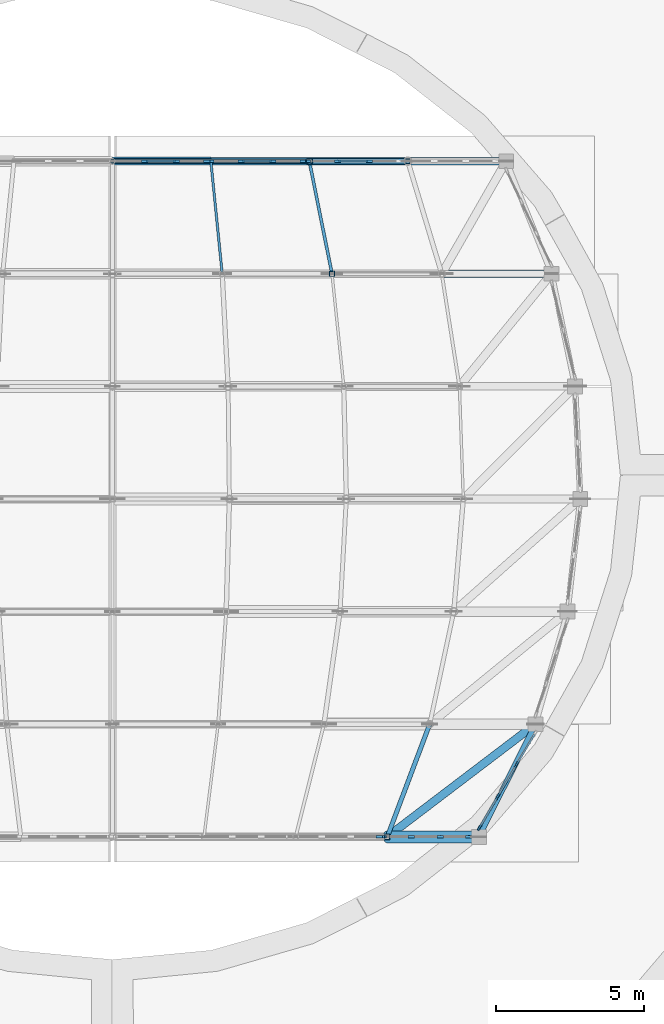
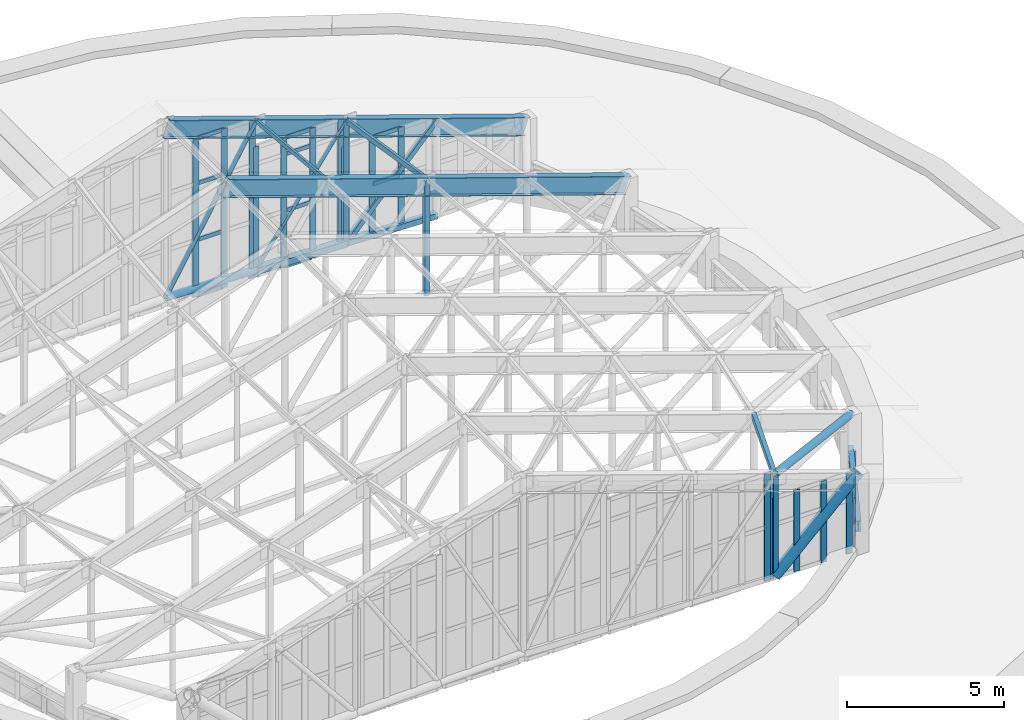
# One storey, part 17 of 105: 49 members, 3 beams, 6 elements without a shape of their own.
"""IFC4 building model written with IfcOpenShell, lengths in metres."""

from ifc_helpers import new_model, si_unit, direction, frame, origin, origin_2d, place, context, subcontext, project, spatial, rectangle, hollow_rectangle, hollow_circle, i_section, extrude, material, material_profile, profile_set, type_object, element, aggregate, save


model = new_model("IFC4")

# Units and contexts
model_context = context("Model", 3, precision=1e-05, world=origin(), true_north=direction((0.0, 1.0)))
body_context = subcontext(model_context, "Body", "Model", "MODEL_VIEW")
ifc_project = project(units=[si_unit("LENGTHUNIT", "METRE"), si_unit("AREAUNIT", "SQUARE_METRE"), si_unit("VOLUMEUNIT", "CUBIC_METRE"), si_unit("PLANEANGLEUNIT", "RADIAN"), si_unit("MASSUNIT", "GRAM", prefix="KILO")], contexts=[model_context])

# Site, building, storey
site_placement = place(None, origin())
site = spatial("IfcSite", under=ifc_project, at=site_placement, CompositionType="ELEMENT")
building_placement = place(site_placement, origin())
building = spatial("IfcBuilding", under=site, at=building_placement, Name="Corveleigh Park Community Centre", CompositionType="ELEMENT")
storey_placement = place(building_placement, frame((0.0, 0.0, 8.699951171875)))
storey = spatial("IfcBuildingStorey", under=building, at=storey_placement, Name="L02", CompositionType="ELEMENT", Elevation=8.699951171875)

# Beams
ifc_material_1 = material(Name="Steel S355", Category="steel")
ifc_material_profile_1 = material_profile(ifc_material_1, i_section(OverallWidth=0.1787109375, OverallDepth=0.409423828125, WebThickness=0.0087890625, FlangeThickness=0.014404296875, at=origin_2d()), Name="UKB 406x178x67", Category="steel")
ifc_profile_set_1 = profile_set([ifc_material_profile_1], Name="Steel S355")
beam_type_1 = type_object("IfcBeamType", Name="BM-STL-UKB406x67", PredefinedType="BEAM", material=ifc_profile_set_1)
beam_1_placement = place(storey_placement, frame((43.3681640625, 15.404541015625, 0.915283203125), z_axis=(0.448916145361, 0.893573888626, 0.0), x_axis=(-0.893573888626, 0.448916145361, 0.0)))
element("IfcBeam", 1, at=beam_1_placement, inside=storey, type_object=beam_type_1, Name="V1 East Eave Tie Beam", PredefinedType="BEAM", context=body_context, shape_type="SweptSolid", body=[
    extrude(i_section(OverallWidth=0.1787109375, OverallDepth=0.409423828125, WebThickness=0.0087890625, FlangeThickness=0.014404296875, at=origin_2d()), origin(), (0.0, 0.0, 1.0), 4.242431640625),
])
ifc_material_profile_2 = material_profile(ifc_material_1, i_section(OverallWidth=0.253662109375, OverallDepth=0.68359375, WebThickness=0.012451171875, FlangeThickness=0.01904296875, at=origin_2d()), Name="UKB 686x254x140", Category="steel")
ifc_profile_set_2 = profile_set([ifc_material_profile_2], Name="Steel S355")
beam_type_2 = type_object("IfcBeamType", Name="BM-STL-UKB686x140", PredefinedType="BEAM", material=ifc_profile_set_2)
beam_2_placement = place(storey_placement, frame((31.0, 34.39990234375, 6.951416015625), z_axis=(0.946294957787, 0.0, -0.323304582194), x_axis=(0.0, 1.0, 0.0)))
element("IfcBeam", 2, at=beam_2_placement, inside=storey, type_object=beam_type_2, Name="V1 Portal Rafter E6", PredefinedType="BEAM", context=body_context, shape_type="SweptSolid", body=[
    extrude(i_section(OverallWidth=0.253662109375, OverallDepth=0.68359375, WebThickness=0.012451171875, FlangeThickness=0.01904296875, at=origin_2d()), origin(), (0.0, 0.0, 1.0), 15.66015625),
])
beam_3_placement = place(storey_placement, frame((31.0, 38.199951171875, 6.951416015625), z_axis=(0.946285526894, 0.0, -0.323332184588), x_axis=(0.0, 1.0, 0.0)))
element("IfcBeam", 3, at=beam_3_placement, inside=storey, type_object=beam_type_2, Name="V1 Portal Rafter E7", PredefinedType="BEAM", context=body_context, shape_type="SweptSolid", body=[
    extrude(i_section(OverallWidth=0.253662109375, OverallDepth=0.68359375, WebThickness=0.012451171875, FlangeThickness=0.01904296875, at=origin_2d()), origin(), (0.0, 0.0, 1.0), 14.04443359375),
])

# Curtain wall, members
ifc_material_2 = material(Name="Anodised aluminium 6063-T6", Category="aluminium")
curtain_wall_type_1 = type_object("IfcCurtainWallType", Name="CW-SYS-V1-L00", PredefinedType="NOTDEFINED", material=ifc_material_2)
curtain_wall_1_placement = place(storey_placement, origin())
curtain_wall_1 = element("IfcCurtainWall", 4, at=curtain_wall_1_placement, inside=storey, type_object=curtain_wall_type_1, Name="Main Hall East Eave Clerestory 1", PredefinedType="NOTDEFINED")
ifc_material_profile_3 = material_profile(ifc_material_2, rectangle(XDim=0.070068359375, YDim=0.199951171875, at=origin_2d()), Name="ALU-M70x200", Category="aluminium")
ifc_profile_set_3 = profile_set([ifc_material_profile_3], Name="Anodised aluminium 6063-T6")
member_type_1 = type_object("IfcMemberType", Name="CWM-70x200", PredefinedType="MULLION", material=ifc_profile_set_3)
member_1_placement = place(storey_placement, frame((44.638671875, 17.840087890625, 0.0), z_axis=(0.0, 0.0, 1.0), x_axis=(0.861571691471, -0.507635913283, 0.0)))
member_1 = element("IfcMember", 5, at=member_1_placement, type_object=member_type_1, Name="CW01 mullion 2", PredefinedType="MULLION", context=body_context, shape_type="SweptSolid", body=[
    extrude(rectangle(XDim=0.070068359375, YDim=0.199951171875, at=origin_2d()), origin(), (0.0, 0.0, 1.0), 1.06005859375),
])
member_2_placement = place(storey_placement, frame((44.00244140625, 16.760009765625, 0.0), z_axis=(0.0, 0.0, 1.0), x_axis=(0.861571691471, -0.507635913283, 0.0)))
member_2 = element("IfcMember", 6, at=member_2_placement, type_object=member_type_1, Name="CW01 mullion 3", PredefinedType="MULLION", context=body_context, shape_type="SweptSolid", body=[
    extrude(rectangle(XDim=0.070068359375, YDim=0.199951171875, at=origin_2d()), origin(), (0.0, 0.0, 1.0), 1.06005859375),
])
member_3_placement = place(storey_placement, frame((43.3837890625, 15.710205078125, 0.0), z_axis=(0.0, 0.0, 1.0), x_axis=(0.861571691471, -0.507635913283, 0.0)))
member_3 = element("IfcMember", 7, at=member_3_placement, type_object=member_type_1, Name="CW01 mullion 4", PredefinedType="MULLION", context=body_context, shape_type="SweptSolid", body=[
    extrude(rectangle(XDim=0.070068359375, YDim=0.199951171875, at=origin_2d()), origin(), (0.0, 0.0, 1.0), 1.06005859375),
])

# Curtain wall, member
curtain_wall_type_2 = type_object("IfcCurtainWallType", Name="CW-SYS-V1-DRUM", PredefinedType="NOTDEFINED", material=ifc_material_2)
curtain_wall_2_placement = place(storey_placement, origin())
curtain_wall_2 = element("IfcCurtainWall", 8, at=curtain_wall_2_placement, inside=storey, type_object=curtain_wall_type_2, Name="Main Hall S Gable Clerestory 7", PredefinedType="NOTDEFINED")
ifc_material_profile_4 = material_profile(ifc_material_2, rectangle(XDim=0.074951171875, YDim=0.219970703125, at=origin_2d()), Name="ALU-M75x220", Category="aluminium")
ifc_profile_set_4 = profile_set([ifc_material_profile_4], Name="Anodised aluminium 6063-T6")
member_type_2 = type_object("IfcMemberType", Name="CWM-75x220", PredefinedType="MULLION", material=ifc_profile_set_4)
member_4_placement = place(storey_placement, frame((39.99658203125, 15.39990234375, 0.0), z_axis=(0.0, 0.0, 1.0), x_axis=(0.0, 1.0, 0.0)))
member_4 = element("IfcMember", 9, at=member_4_placement, type_object=member_type_2, Name="CW02 mullion 4", PredefinedType="MULLION", context=body_context, shape_type="SweptSolid", body=[
    extrude(rectangle(XDim=0.074951171875, YDim=0.219970703125, at=origin_2d()), origin(), (0.0, 0.0, 1.0), 4.203125),
])
aggregate(curtain_wall_2, [member_4])

# Curtain wall, members
curtain_wall_3_placement = place(storey_placement, origin())
curtain_wall_3 = element("IfcCurtainWall", 10, at=curtain_wall_3_placement, inside=storey, type_object=curtain_wall_type_2, Name="Main Hall S Gable Clerestory 8", PredefinedType="NOTDEFINED")
member_5_placement = place(storey_placement, frame((40.131591796875, 15.39990234375, 0.0), z_axis=(0.0, 0.0, 1.0), x_axis=(0.0, 1.0, 0.0)))
member_5 = element("IfcMember", 11, at=member_5_placement, type_object=member_type_2, Name="CW02 mullion 1", PredefinedType="MULLION", context=body_context, shape_type="SweptSolid", body=[
    extrude(rectangle(XDim=0.074951171875, YDim=0.219970703125, at=origin_2d()), origin(), (0.0, 0.0, 1.0), 3.171142578125),
])
member_6_placement = place(storey_placement, frame((41.081298828125, 15.39990234375, 0.0), z_axis=(0.0, 0.0, 1.0), x_axis=(0.0, 1.0, 0.0)))
member_6 = element("IfcMember", 12, at=member_6_placement, type_object=member_type_2, Name="CW02 mullion 2", PredefinedType="MULLION", context=body_context, shape_type="SweptSolid", body=[
    extrude(rectangle(XDim=0.074951171875, YDim=0.219970703125, at=origin_2d()), origin(), (0.0, 0.0, 1.0), 3.171142578125),
])
member_7_placement = place(storey_placement, frame((42.068603515625, 15.39990234375, 0.0), z_axis=(0.0, 0.0, 1.0), x_axis=(0.0, 1.0, 0.0)))
member_7 = element("IfcMember", 13, at=member_7_placement, type_object=member_type_2, Name="CW02 mullion 3", PredefinedType="MULLION", context=body_context, shape_type="SweptSolid", body=[
    extrude(rectangle(XDim=0.074951171875, YDim=0.219970703125, at=origin_2d()), origin(), (0.0, 0.0, 1.0), 3.171142578125),
])
member_8_placement = place(storey_placement, frame((43.0185546875, 15.39990234375, 0.0), z_axis=(0.0, 0.0, 1.0), x_axis=(0.0, 1.0, 0.0)))
member_8 = element("IfcMember", 14, at=member_8_placement, type_object=member_type_2, Name="CW02 mullion 4", PredefinedType="MULLION", context=body_context, shape_type="SweptSolid", body=[
    extrude(rectangle(XDim=0.074951171875, YDim=0.219970703125, at=origin_2d()), origin(), (0.0, 0.0, 1.0), 3.171142578125),
])
aggregate(curtain_wall_3, [member_5, member_6, member_7, member_8])

curtain_wall_4_placement = place(storey_placement, origin())
curtain_wall_4 = element("IfcCurtainWall", 15, at=curtain_wall_4_placement, inside=storey, type_object=curtain_wall_type_2, Name="Main Hall N Gable Clerestory 5", PredefinedType="NOTDEFINED")
member_9_placement = place(storey_placement, frame((34.1845703125, 38.199951171875, 0.0), z_axis=(0.0, 0.0, 1.0), x_axis=(0.0, -1.0, 0.0)))
member_9 = element("IfcMember", 16, at=member_9_placement, type_object=member_type_2, Name="CW02 mullion 1", PredefinedType="MULLION", context=body_context, shape_type="SweptSolid", body=[
    extrude(rectangle(XDim=0.074951171875, YDim=0.219970703125, at=origin_2d()), origin(), (0.0, 0.0, 1.0), 6.18896484375),
])
member_10_placement = place(storey_placement, frame((33.157958984375, 38.199951171875, 0.0), z_axis=(0.0, 0.0, 1.0), x_axis=(0.0, -1.0, 0.0)))
member_10 = element("IfcMember", 17, at=member_10_placement, type_object=member_type_2, Name="CW02 mullion 2", PredefinedType="MULLION", context=body_context, shape_type="SweptSolid", body=[
    extrude(rectangle(XDim=0.074951171875, YDim=0.219970703125, at=origin_2d()), origin(), (0.0, 0.0, 1.0), 6.18896484375),
])
member_11_placement = place(storey_placement, frame((32.093994140625, 38.199951171875, 0.0), z_axis=(0.0, 0.0, 1.0), x_axis=(0.0, -1.0, 0.0)))
member_11 = element("IfcMember", 18, at=member_11_placement, type_object=member_type_2, Name="CW02 mullion 3", PredefinedType="MULLION", context=body_context, shape_type="SweptSolid", body=[
    extrude(rectangle(XDim=0.074951171875, YDim=0.219970703125, at=origin_2d()), origin(), (0.0, 0.0, 1.0), 6.18896484375),
])

curtain_wall_5_placement = place(storey_placement, origin())
curtain_wall_5 = element("IfcCurtainWall", 19, at=curtain_wall_5_placement, inside=storey, type_object=curtain_wall_type_2, Name="Main Hall N Gable Clerestory 6", PredefinedType="NOTDEFINED")
member_12_placement = place(storey_placement, frame((37.4375, 38.199951171875, 0.0), z_axis=(0.0, 0.0, 1.0), x_axis=(0.0, -1.0, 0.0)))
member_12 = element("IfcMember", 20, at=member_12_placement, type_object=member_type_2, Name="CW02 mullion 1", PredefinedType="MULLION", context=body_context, shape_type="SweptSolid", body=[
    extrude(rectangle(XDim=0.074951171875, YDim=0.219970703125, at=origin_2d()), origin(), (0.0, 0.0, 1.0), 5.078125),
])
member_13_placement = place(storey_placement, frame((36.41064453125, 38.199951171875, 0.0), z_axis=(0.0, 0.0, 1.0), x_axis=(0.0, -1.0, 0.0)))
member_13 = element("IfcMember", 21, at=member_13_placement, type_object=member_type_2, Name="CW02 mullion 2", PredefinedType="MULLION", context=body_context, shape_type="SweptSolid", body=[
    extrude(rectangle(XDim=0.074951171875, YDim=0.219970703125, at=origin_2d()), origin(), (0.0, 0.0, 1.0), 5.078125),
])
member_14_placement = place(storey_placement, frame((35.346435546875, 38.199951171875, 0.0), z_axis=(0.0, 0.0, 1.0), x_axis=(0.0, -1.0, 0.0)))
member_14 = element("IfcMember", 22, at=member_14_placement, type_object=member_type_2, Name="CW02 mullion 3", PredefinedType="MULLION", context=body_context, shape_type="SweptSolid", body=[
    extrude(rectangle(XDim=0.074951171875, YDim=0.219970703125, at=origin_2d()), origin(), (0.0, 0.0, 1.0), 5.078125),
])
member_15_placement = place(storey_placement, frame((34.319580078125, 38.199951171875, 0.0), z_axis=(0.0, 0.0, 1.0), x_axis=(0.0, -1.0, 0.0)))
member_15 = element("IfcMember", 23, at=member_15_placement, type_object=member_type_2, Name="CW02 mullion 4", PredefinedType="MULLION", context=body_context, shape_type="SweptSolid", body=[
    extrude(rectangle(XDim=0.074951171875, YDim=0.219970703125, at=origin_2d()), origin(), (0.0, 0.0, 1.0), 5.078125),
])

curtain_wall_6_placement = place(storey_placement, origin())
curtain_wall_6 = element("IfcCurtainWall", 24, at=curtain_wall_6_placement, inside=storey, type_object=curtain_wall_type_2, Name="Main Hall N Gable Clerestory 7", PredefinedType="NOTDEFINED")
member_16_placement = place(storey_placement, frame((39.6630859375, 38.199951171875, 0.0), z_axis=(0.0, 0.0, 1.0), x_axis=(0.0, -1.0, 0.0)))
member_16 = element("IfcMember", 25, at=member_16_placement, type_object=member_type_2, Name="CW02 mullion 2", PredefinedType="MULLION", context=body_context, shape_type="SweptSolid", body=[
    extrude(rectangle(XDim=0.074951171875, YDim=0.219970703125, at=origin_2d()), origin(), (0.0, 0.0, 1.0), 3.967041015625),
])
member_17_placement = place(storey_placement, frame((38.59912109375, 38.199951171875, 0.0), z_axis=(0.0, 0.0, 1.0), x_axis=(0.0, -1.0, 0.0)))
member_17 = element("IfcMember", 26, at=member_17_placement, type_object=member_type_2, Name="CW02 mullion 3", PredefinedType="MULLION", context=body_context, shape_type="SweptSolid", body=[
    extrude(rectangle(XDim=0.074951171875, YDim=0.219970703125, at=origin_2d()), origin(), (0.0, 0.0, 1.0), 3.967041015625),
])
member_18_placement = place(storey_placement, frame((37.572509765625, 38.199951171875, 0.0), z_axis=(0.0, 0.0, 1.0), x_axis=(0.0, -1.0, 0.0)))
member_18 = element("IfcMember", 27, at=member_18_placement, type_object=member_type_2, Name="CW02 mullion 4", PredefinedType="MULLION", context=body_context, shape_type="SweptSolid", body=[
    extrude(rectangle(XDim=0.074951171875, YDim=0.219970703125, at=origin_2d()), origin(), (0.0, 0.0, 1.0), 3.967041015625),
])

# Member
ifc_material_profile_5 = material_profile(ifc_material_2, rectangle(XDim=0.06494140625, YDim=0.139892578125, at=origin_2d()), Name="ALU-T65x140", Category="aluminium")
ifc_profile_set_5 = profile_set([ifc_material_profile_5], Name="Anodised aluminium 6063-T6")
member_type_3 = type_object("IfcMemberType", Name="CWT-65x140", PredefinedType="USERDEFINED", material=ifc_profile_set_5)
member_19_placement = place(storey_placement, frame((45.239501953125, 18.859619140625, 0.032470703125), z_axis=(-0.50763313722, -0.861573327115, 0.0), x_axis=(0.861573327115, -0.50763313722, 0.0)))
member_19 = element("IfcMember", 28, at=member_19_placement, type_object=member_type_3, Name="CW01 transom 1.1", ObjectType="TRANSOM", PredefinedType="USERDEFINED", context=body_context, shape_type="SweptSolid", body=[
    extrude(rectangle(XDim=0.06494140625, YDim=0.139892578125, at=origin_2d()), origin(), (0.0, 0.0, 1.0), 1.1484375),
])

member_20_placement = place(storey_placement, frame((45.239501953125, 18.859619140625, 1.027587890625), z_axis=(-0.50763313722, -0.861573327115, 0.0), x_axis=(0.861573327115, -0.50763313722, 0.0)))
member_20 = element("IfcMember", 29, at=member_20_placement, type_object=member_type_3, Name="CW01 transom 1.2", ObjectType="TRANSOM", PredefinedType="USERDEFINED", context=body_context, shape_type="SweptSolid", body=[
    extrude(rectangle(XDim=0.06494140625, YDim=0.139892578125, at=origin_2d()), origin(), (0.0, 0.0, 1.0), 1.1484375),
])

member_21_placement = place(storey_placement, frame((44.620849609375, 17.809814453125, 0.032470703125), z_axis=(-0.507623957149, -0.861578735884, 0.0), x_axis=(0.861578735884, -0.507623957149, 0.0)))
member_21 = element("IfcMember", 30, at=member_21_placement, type_object=member_type_3, Name="CW01 transom 2.1", ObjectType="TRANSOM", PredefinedType="USERDEFINED", context=body_context, shape_type="SweptSolid", body=[
    extrude(rectangle(XDim=0.06494140625, YDim=0.139892578125, at=origin_2d()), origin(), (0.0, 0.0, 1.0), 1.18359375),
])

member_22_placement = place(storey_placement, frame((44.620849609375, 17.809814453125, 1.027587890625), z_axis=(-0.507623957149, -0.861578735884, 0.0), x_axis=(0.861578735884, -0.507623957149, 0.0)))
member_22 = element("IfcMember", 31, at=member_22_placement, type_object=member_type_3, Name="CW01 transom 2.2", ObjectType="TRANSOM", PredefinedType="USERDEFINED", context=body_context, shape_type="SweptSolid", body=[
    extrude(rectangle(XDim=0.06494140625, YDim=0.139892578125, at=origin_2d()), origin(), (0.0, 0.0, 1.0), 1.18359375),
])

member_23_placement = place(storey_placement, frame((43.984619140625, 16.729736328125, 0.032470703125), z_axis=(-0.50763313722, -0.861573327115, 0.0), x_axis=(0.861573327115, -0.50763313722, 0.0)))
member_23 = element("IfcMember", 32, at=member_23_placement, type_object=member_type_3, Name="CW01 transom 3.1", ObjectType="TRANSOM", PredefinedType="USERDEFINED", context=body_context, shape_type="SweptSolid", body=[
    extrude(rectangle(XDim=0.06494140625, YDim=0.139892578125, at=origin_2d()), origin(), (0.0, 0.0, 1.0), 1.1484375),
])

member_24_placement = place(storey_placement, frame((43.984619140625, 16.729736328125, 1.027587890625), z_axis=(-0.50763313722, -0.861573327115, 0.0), x_axis=(0.861573327115, -0.50763313722, 0.0)))
member_24 = element("IfcMember", 33, at=member_24_placement, type_object=member_type_3, Name="CW01 transom 3.2", ObjectType="TRANSOM", PredefinedType="USERDEFINED", context=body_context, shape_type="SweptSolid", body=[
    extrude(rectangle(XDim=0.06494140625, YDim=0.139892578125, at=origin_2d()), origin(), (0.0, 0.0, 1.0), 1.1484375),
])

aggregate(curtain_wall_1, [member_1, member_2, member_3, member_19, member_20, member_21, member_22, member_23, member_24])

ifc_material_profile_6 = material_profile(ifc_material_2, rectangle(XDim=0.070068359375, YDim=0.155029296875, at=origin_2d()), Name="ALU-T70x155", Category="aluminium")
ifc_profile_set_6 = profile_set([ifc_material_profile_6], Name="Anodised aluminium 6063-T6")
member_type_4 = type_object("IfcMemberType", Name="CWT-70x155", PredefinedType="USERDEFINED", material=ifc_profile_set_6)
member_25_placement = place(storey_placement, frame((33.12060546875, 38.199951171875, 0.03515625), z_axis=(-1.0, 0.0, 0.0), x_axis=(0.0, -1.0, 0.0)))
member_25 = element("IfcMember", 34, at=member_25_placement, type_object=member_type_4, Name="CW02 transom 2.1", ObjectType="TRANSOM", PredefinedType="USERDEFINED", context=body_context, shape_type="SweptSolid", body=[
    extrude(rectangle(XDim=0.070068359375, YDim=0.155029296875, at=origin_2d()), origin(), (0.0, 0.0, 1.0), 0.989013671875),
])

member_26_placement = place(storey_placement, frame((33.12060546875, 38.199951171875, 2.199951171875), z_axis=(-1.0, 0.0, 0.0), x_axis=(0.0, -1.0, 0.0)))
member_26 = element("IfcMember", 35, at=member_26_placement, type_object=member_type_4, Name="CW02 transom 2.2", ObjectType="TRANSOM", PredefinedType="USERDEFINED", context=body_context, shape_type="SweptSolid", body=[
    extrude(rectangle(XDim=0.070068359375, YDim=0.155029296875, at=origin_2d()), origin(), (0.0, 0.0, 1.0), 0.989013671875),
])

member_27_placement = place(storey_placement, frame((33.12060546875, 38.199951171875, 4.400146484375), z_axis=(-1.0, 0.0, 0.0), x_axis=(0.0, -1.0, 0.0)))
member_27 = element("IfcMember", 36, at=member_27_placement, type_object=member_type_4, Name="CW02 transom 2.3", ObjectType="TRANSOM", PredefinedType="USERDEFINED", context=body_context, shape_type="SweptSolid", body=[
    extrude(rectangle(XDim=0.070068359375, YDim=0.155029296875, at=origin_2d()), origin(), (0.0, 0.0, 1.0), 0.989013671875),
])

member_28_placement = place(storey_placement, frame((33.12060546875, 38.199951171875, 6.154052734375), z_axis=(-1.0, 0.0, 0.0), x_axis=(0.0, -1.0, 0.0)))
member_28 = element("IfcMember", 37, at=member_28_placement, type_object=member_type_4, Name="CW02 transom 2.4", ObjectType="TRANSOM", PredefinedType="USERDEFINED", context=body_context, shape_type="SweptSolid", body=[
    extrude(rectangle(XDim=0.070068359375, YDim=0.155029296875, at=origin_2d()), origin(), (0.0, 0.0, 1.0), 0.989013671875),
])

aggregate(curtain_wall_4, [member_9, member_10, member_11, member_25, member_26, member_27, member_28])

member_29_placement = place(storey_placement, frame((36.373046875, 38.199951171875, 0.03515625), z_axis=(-1.0, 0.0, 0.0), x_axis=(0.0, -1.0, 0.0)))
member_29 = element("IfcMember", 38, at=member_29_placement, type_object=member_type_4, Name="CW02 transom 2.1", ObjectType="TRANSOM", PredefinedType="USERDEFINED", context=body_context, shape_type="SweptSolid", body=[
    extrude(rectangle(XDim=0.070068359375, YDim=0.155029296875, at=origin_2d()), origin(), (0.0, 0.0, 1.0), 0.9892578125),
])

member_30_placement = place(storey_placement, frame((36.373046875, 38.199951171875, 2.199951171875), z_axis=(-1.0, 0.0, 0.0), x_axis=(0.0, -1.0, 0.0)))
member_30 = element("IfcMember", 39, at=member_30_placement, type_object=member_type_4, Name="CW02 transom 2.2", ObjectType="TRANSOM", PredefinedType="USERDEFINED", context=body_context, shape_type="SweptSolid", body=[
    extrude(rectangle(XDim=0.070068359375, YDim=0.155029296875, at=origin_2d()), origin(), (0.0, 0.0, 1.0), 0.9892578125),
])

member_31_placement = place(storey_placement, frame((36.373046875, 38.199951171875, 4.400146484375), z_axis=(-1.0, 0.0, 0.0), x_axis=(0.0, -1.0, 0.0)))
member_31 = element("IfcMember", 40, at=member_31_placement, type_object=member_type_4, Name="CW02 transom 2.3", ObjectType="TRANSOM", PredefinedType="USERDEFINED", context=body_context, shape_type="SweptSolid", body=[
    extrude(rectangle(XDim=0.070068359375, YDim=0.155029296875, at=origin_2d()), origin(), (0.0, 0.0, 1.0), 0.9892578125),
])

member_32_placement = place(storey_placement, frame((36.373046875, 38.199951171875, 5.04296875), z_axis=(-1.0, 0.0, 0.0), x_axis=(0.0, -1.0, 0.0)))
member_32 = element("IfcMember", 41, at=member_32_placement, type_object=member_type_4, Name="CW02 transom 2.4", ObjectType="TRANSOM", PredefinedType="USERDEFINED", context=body_context, shape_type="SweptSolid", body=[
    extrude(rectangle(XDim=0.070068359375, YDim=0.155029296875, at=origin_2d()), origin(), (0.0, 0.0, 1.0), 0.9892578125),
])

aggregate(curtain_wall_5, [member_12, member_13, member_14, member_15, member_29, member_30, member_31, member_32])

member_33_placement = place(storey_placement, frame((39.62548828125, 38.199951171875, 0.03515625), z_axis=(-1.0, 0.0, 0.0), x_axis=(0.0, -1.0, 0.0)))
member_33 = element("IfcMember", 42, at=member_33_placement, type_object=member_type_4, Name="CW02 transom 2.1", ObjectType="TRANSOM", PredefinedType="USERDEFINED", context=body_context, shape_type="SweptSolid", body=[
    extrude(rectangle(XDim=0.070068359375, YDim=0.155029296875, at=origin_2d()), origin(), (0.0, 0.0, 1.0), 0.989013671875),
])

member_34_placement = place(storey_placement, frame((39.62548828125, 38.199951171875, 2.10009765625), z_axis=(-1.0, 0.0, 0.0), x_axis=(0.0, -1.0, 0.0)))
member_34 = element("IfcMember", 43, at=member_34_placement, type_object=member_type_4, Name="CW02 transom 2.2", ObjectType="TRANSOM", PredefinedType="USERDEFINED", context=body_context, shape_type="SweptSolid", body=[
    extrude(rectangle(XDim=0.070068359375, YDim=0.155029296875, at=origin_2d()), origin(), (0.0, 0.0, 1.0), 0.989013671875),
])

member_35_placement = place(storey_placement, frame((39.62548828125, 38.199951171875, 3.93212890625), z_axis=(-1.0, 0.0, 0.0), x_axis=(0.0, -1.0, 0.0)))
member_35 = element("IfcMember", 44, at=member_35_placement, type_object=member_type_4, Name="CW02 transom 2.3", ObjectType="TRANSOM", PredefinedType="USERDEFINED", context=body_context, shape_type="SweptSolid", body=[
    extrude(rectangle(XDim=0.070068359375, YDim=0.155029296875, at=origin_2d()), origin(), (0.0, 0.0, 1.0), 0.989013671875),
])

aggregate(curtain_wall_6, [member_16, member_17, member_18, member_33, member_34, member_35])

# Members
ifc_material_profile_7 = material_profile(ifc_material_1, hollow_circle(Radius=0.06982421875, WallThickness=0.008056640625, at=origin_2d()), Name="CHS 139.7x8.0", Category="steel")
ifc_profile_set_7 = profile_set([ifc_material_profile_7], Name="Steel S355")
member_type_5 = type_object("IfcMemberType", Name="MEM-BRC-CHS140", PredefinedType="BRACE", material=ifc_profile_set_7)
member_36_placement = place(storey_placement, frame((37.64501953125, 38.199951171875, 4.9296875), z_axis=(-0.579955737648, 0.0, -0.814647986783), x_axis=(0.0, -1.0, 0.0)))
element("IfcMember", 45, at=member_36_placement, inside=storey, type_object=member_type_5, Name="V1 Truss T7 Web Diagonal", PredefinedType="BRACE", context=body_context, shape_type="SweptSolid", body=[
    extrude(hollow_circle(Radius=0.06982421875, WallThickness=0.008056640625, at=origin_2d()), origin(), (0.0, 0.0, 1.0), 5.729736328125),
])
ifc_material_profile_8 = material_profile(ifc_material_1, hollow_circle(Radius=0.084228515625, WallThickness=0.008056640625, at=origin_2d()), Name="CHS 168.3x8.0", Category="steel")
ifc_profile_set_8 = profile_set([ifc_material_profile_8], Name="Steel S355")
member_type_6 = type_object("IfcMemberType", Name="MEM-BRC-CHS168", PredefinedType="BRACE", material=ifc_profile_set_8)
member_37_placement = place(storey_placement, frame((34.322021484375, 38.199951171875, 6.06494140625), z_axis=(-0.502556904369, 0.0, -0.864544132981), x_axis=(0.0, -1.0, 0.0)))
element("IfcMember", 46, at=member_37_placement, inside=storey, type_object=member_type_6, Name="V1 Truss T7 Web Diagonal", PredefinedType="BRACE", context=body_context, shape_type="SweptSolid", body=[
    extrude(hollow_circle(Radius=0.084228515625, WallThickness=0.008056640625, at=origin_2d()), origin(), (0.0, 0.0, 1.0), 6.6103515625),
])
ifc_material_profile_9 = material_profile(ifc_material_1, hollow_rectangle(XDim=0.179931640625, YDim=0.179931640625, WallThickness=0.010009765625, at=origin_2d()), Name="SHS 180x180x10.0", Category="steel")
ifc_profile_set_9 = profile_set([ifc_material_profile_9], Name="Steel S355")
member_type_7 = type_object("IfcMemberType", Name="MEM-BRC-SHS180", PredefinedType="BRACE", material=ifc_profile_set_9)
member_38_placement = place(storey_placement, frame((40.968017578125, 38.199951171875, 3.79443359375), z_axis=(-0.676302675841, 0.0, -0.736623846105), x_axis=(0.0, -1.0, 0.0)))
element("IfcMember", 47, at=member_38_placement, inside=storey, type_object=member_type_7, Name="V1 Truss T7 Web Diagonal", PredefinedType="BRACE", context=body_context, shape_type="SweptSolid", body=[
    extrude(hollow_rectangle(XDim=0.179931640625, YDim=0.179931640625, WallThickness=0.010009765625, at=origin_2d()), origin(), (0.0, 0.0, 1.0), 4.91357421875),
])
ifc_material_profile_10 = material_profile(ifc_material_1, hollow_circle(Radius=0.136474609375, WallThickness=0.012451171875, at=origin_2d()), Name="CHS 273.0x12.5", Category="steel")
ifc_profile_set_10 = profile_set([ifc_material_profile_10], Name="Steel S355")
member_type_8 = type_object("IfcMemberType", Name="MEM-CHD-CHS273", PredefinedType="CHORD", material=ifc_profile_set_10)
member_39_placement = place(storey_placement, frame((31.0, 38.199951171875, 0.35009765625), z_axis=(0.999648252962, 0.0, -0.026521130251), x_axis=(0.0, 1.0, 0.0)))
element("IfcMember", 48, at=member_39_placement, inside=storey, type_object=member_type_8, Name="V1 Truss T7 Bottom Chord", PredefinedType="CHORD", context=body_context, shape_type="SweptSolid", body=[
    extrude(hollow_circle(Radius=0.136474609375, WallThickness=0.012451171875, at=origin_2d()), origin(), (0.0, 0.0, 1.0), 3.3232421875),
])
ifc_material_profile_11 = material_profile(ifc_material_1, hollow_circle(Radius=0.203125, WallThickness=0.02001953125, at=origin_2d()), Name="CHS 406.4x20.0", Category="steel")
ifc_profile_set_11 = profile_set([ifc_material_profile_11], Name="Steel S355")
member_type_9 = type_object("IfcMemberType", Name="MEM-CHD-CHS406", PredefinedType="CHORD", material=ifc_profile_set_11)
member_40_placement = place(storey_placement, frame((40.27490234375, 15.39990234375, 0.087158203125), z_axis=(0.72074882908, 0.0, 0.693196310853), x_axis=(0.0, 1.0, 0.0)))
element("IfcMember", 49, at=member_40_placement, inside=storey, type_object=member_type_9, Name="V1 Truss T1 Bottom Chord", PredefinedType="CHORD", context=body_context, shape_type="SweptSolid", body=[
    extrude(hollow_circle(Radius=0.203125, WallThickness=0.02001953125, at=origin_2d()), origin(), (0.0, 0.0, 1.0), 4.28857421875),
])
ifc_material_profile_12 = material_profile(ifc_material_1, hollow_rectangle(XDim=0.219970703125, YDim=0.219970703125, WallThickness=0.012451171875, at=origin_2d()), Name="SHS 220x220x12.5", Category="steel")
ifc_profile_set_12 = profile_set([ifc_material_profile_12], Name="Steel S355")
member_type_10 = type_object("IfcMemberType", Name="MEM-CHD-SHS220", PredefinedType="CHORD", material=ifc_profile_set_12)
member_41_placement = place(storey_placement, frame((37.64501953125, 38.199951171875, 0.175048828125), z_axis=(0.999650403441, 0.0, -0.026439948956), x_axis=(0.0, 1.0, 0.0)))
element("IfcMember", 50, at=member_41_placement, inside=storey, type_object=member_type_10, Name="V1 Truss T7 Bottom Chord", PredefinedType="CHORD", context=body_context, shape_type="SweptSolid", body=[
    extrude(hollow_rectangle(XDim=0.219970703125, YDim=0.219970703125, WallThickness=0.012451171875, at=origin_2d()), origin(), (0.0, 0.0, 1.0), 3.32421875),
])
ifc_material_profile_13 = material_profile(ifc_material_1, hollow_rectangle(XDim=0.25, YDim=0.25, WallThickness=0.012451171875, at=origin_2d()), Name="SHS 250x250x12.5", Category="steel")
ifc_profile_set_13 = profile_set([ifc_material_profile_13], Name="Steel S355")
member_type_11 = type_object("IfcMemberType", Name="MEM-CHD-SHS250", PredefinedType="CHORD", material=ifc_profile_set_13)
member_42_placement = place(storey_placement, frame((34.322021484375, 38.199951171875, 0.261962890625), z_axis=(0.999658125132, 0.0, -0.026146373709), x_axis=(0.0, 1.0, 0.0)))
element("IfcMember", 51, at=member_42_placement, inside=storey, type_object=member_type_11, Name="V1 Truss T7 Bottom Chord", PredefinedType="CHORD", context=body_context, shape_type="SweptSolid", body=[
    extrude(hollow_rectangle(XDim=0.25, YDim=0.25, WallThickness=0.012451171875, at=origin_2d()), origin(), (0.0, 0.0, 1.0), 3.32421875),
])
ifc_material_profile_14 = material_profile(ifc_material_1, hollow_rectangle(XDim=0.080078125, YDim=0.159912109375, WallThickness=0.008056640625, at=origin_2d()), Name="RHS 160x80x8.0", Category="steel")
ifc_profile_set_14 = profile_set([ifc_material_profile_14], Name="Steel S355")
member_type_12 = type_object("IfcMemberType", Name="MEM-PRL-RHS160", PredefinedType="PURLIN", material=ifc_profile_set_14)
member_43_placement = place(storey_placement, frame((34.705078125, 34.39990234375, 5.95703125), z_axis=(-0.100235773814, 0.9943720965, 0.034306316468), x_axis=(-0.994957763384, -0.100294810842, 0.0)))
element("IfcMember", 52, at=member_43_placement, inside=storey, type_object=member_type_12, Name="V1 Pitched Roof Purlin", PredefinedType="PURLIN", context=body_context, shape_type="SweptSolid", body=[
    extrude(hollow_rectangle(XDim=0.080078125, YDim=0.159912109375, WallThickness=0.008056640625, at=origin_2d()), origin(), (0.0, 0.0, 1.0), 3.821533203125),
])
ifc_material_profile_15 = material_profile(ifc_material_1, hollow_rectangle(XDim=0.10009765625, YDim=0.199951171875, WallThickness=0.008056640625, at=origin_2d()), Name="RHS 200x100x8.0", Category="steel")
ifc_profile_set_15 = profile_set([ifc_material_profile_15], Name="Steel S355")
member_type_13 = type_object("IfcMemberType", Name="MEM-PRL-RHS200", PredefinedType="PURLIN", material=ifc_profile_set_15)
member_44_placement = place(storey_placement, frame((38.409912109375, 34.39990234375, 4.67138671875), z_axis=(-0.196880623873, 0.978119026678, 0.067239791747), x_axis=(-0.980337683528, -0.197327206071, 0.0)))
element("IfcMember", 53, at=member_44_placement, inside=storey, type_object=member_type_13, Name="V1 Pitched Roof Purlin", PredefinedType="PURLIN", context=body_context, shape_type="SweptSolid", body=[
    extrude(hollow_rectangle(XDim=0.10009765625, YDim=0.199951171875, WallThickness=0.008056640625, at=origin_2d()), origin(), (0.0, 0.0, 1.0), 3.885009765625),
])
ifc_material_profile_16 = material_profile(ifc_material_1, hollow_rectangle(XDim=0.14990234375, YDim=0.25, WallThickness=0.010009765625, at=origin_2d()), Name="RHS 250x150x10.0", Category="steel")
ifc_profile_set_16 = profile_set([ifc_material_profile_16], Name="Steel S355")
member_type_14 = type_object("IfcMemberType", Name="MEM-PRL-RHS250", PredefinedType="PURLIN", material=ifc_profile_set_16)
member_45_placement = place(storey_placement, frame((40.27490234375, 15.39990234375, 4.009033203125), z_axis=(0.349921652803, 0.929124961767, -0.119505825471), x_axis=(-0.935831599416, 0.352447467766, 0.0)))
element("IfcMember", 54, at=member_45_placement, inside=storey, type_object=member_type_14, Name="V1 Pitched Roof Purlin", PredefinedType="PURLIN", context=body_context, shape_type="SweptSolid", body=[
    extrude(hollow_rectangle(XDim=0.14990234375, YDim=0.25, WallThickness=0.010009765625, at=origin_2d()), origin(), (0.0, 0.0, 1.0), 4.08984375),
])
ifc_material_profile_17 = material_profile(ifc_material_1, hollow_circle(Radius=0.122314453125, WallThickness=0.012451171875, at=origin_2d()), Name="CHS 244.5x12.5", Category="steel")
ifc_profile_set_17 = profile_set([ifc_material_profile_17], Name="Steel S355")
member_type_15 = type_object("IfcMemberType", Name="MEM-STR-CHS245", PredefinedType="STRUT", material=ifc_profile_set_17)
member_46_placement = place(storey_placement, frame((37.64501953125, 38.199951171875, 0.175048828125), z_axis=(0.0, 0.0, 1.0), x_axis=(1.0, 0.0, 0.0)))
element("IfcMember", 55, at=member_46_placement, inside=storey, type_object=member_type_15, Name="V1 Truss T7 Web Post", PredefinedType="STRUT", context=body_context, shape_type="SweptSolid", body=[
    extrude(hollow_circle(Radius=0.122314453125, WallThickness=0.012451171875, at=origin_2d()), origin(), (0.0, 0.0, 1.0), 4.754638671875),
])
ifc_material_profile_18 = material_profile(ifc_material_1, hollow_circle(Radius=0.136474609375, WallThickness=0.012451171875, at=origin_2d()), Name="CHS 273.0x12.5", Category="steel")
ifc_profile_set_18 = profile_set([ifc_material_profile_18], Name="Steel S355")
member_type_16 = type_object("IfcMemberType", Name="MEM-STR-CHS273E", PredefinedType="STRUT", material=ifc_profile_set_18)
member_47_placement = place(storey_placement, frame((40.27490234375, 15.39990234375, 4.031005859375), z_axis=(0.768244994822, 0.583873698457, -0.262471202576), x_axis=(-0.605088195885, 0.796158448552, 0.0)))
element("IfcMember", 56, at=member_47_placement, inside=storey, type_object=member_type_16, Name="V1 Roof Wind Strut", PredefinedType="STRUT", context=body_context, shape_type="SweptSolid", body=[
    extrude(hollow_circle(Radius=0.136474609375, WallThickness=0.012451171875, at=origin_2d()), origin(), (0.0, 0.0, 1.0), 6.50830078125),
])
ifc_material_profile_19 = material_profile(ifc_material_1, hollow_rectangle(XDim=0.179931640625, YDim=0.179931640625, WallThickness=0.010009765625, at=origin_2d()), Name="SHS 180x180x10.0", Category="steel")
ifc_profile_set_19 = profile_set([ifc_material_profile_19], Name="Steel S355")
member_type_17 = type_object("IfcMemberType", Name="MEM-STR-SHS180I", PredefinedType="STRUT", material=ifc_profile_set_19)
member_48_placement = place(storey_placement, frame((40.27490234375, 15.39990234375, 0.087158203125), z_axis=(0.0, 0.0, 1.0), x_axis=(1.0, 0.0, 0.0)))
element("IfcMember", 57, at=member_48_placement, inside=storey, type_object=member_type_17, Name="V1 Truss T1 Web Post", PredefinedType="STRUT", context=body_context, shape_type="SweptSolid", body=[
    extrude(hollow_rectangle(XDim=0.179931640625, YDim=0.179931640625, WallThickness=0.010009765625, at=origin_2d()), origin(), (0.0, 0.0, 1.0), 3.94384765625),
])
member_49_placement = place(storey_placement, frame((38.409912109375, 34.39990234375, 0.175048828125), z_axis=(0.0, 0.0, 1.0), x_axis=(1.0, 0.0, 0.0)))
element("IfcMember", 58, at=member_49_placement, inside=storey, type_object=member_type_17, Name="V1 Truss T6 Web Post", PredefinedType="STRUT", context=body_context, shape_type="SweptSolid", body=[
    extrude(hollow_rectangle(XDim=0.179931640625, YDim=0.179931640625, WallThickness=0.010009765625, at=origin_2d()), origin(), (0.0, 0.0, 1.0), 4.493408203125),
])

save(model, "model.ifc")
